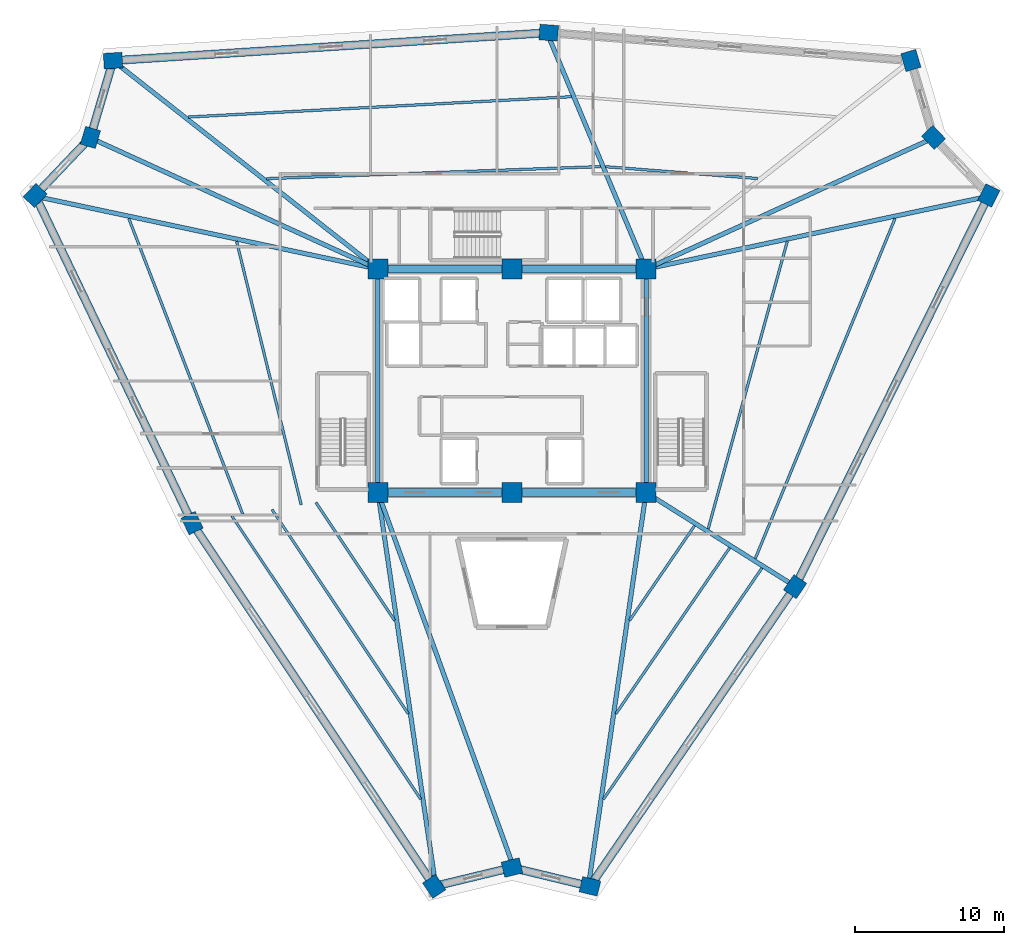
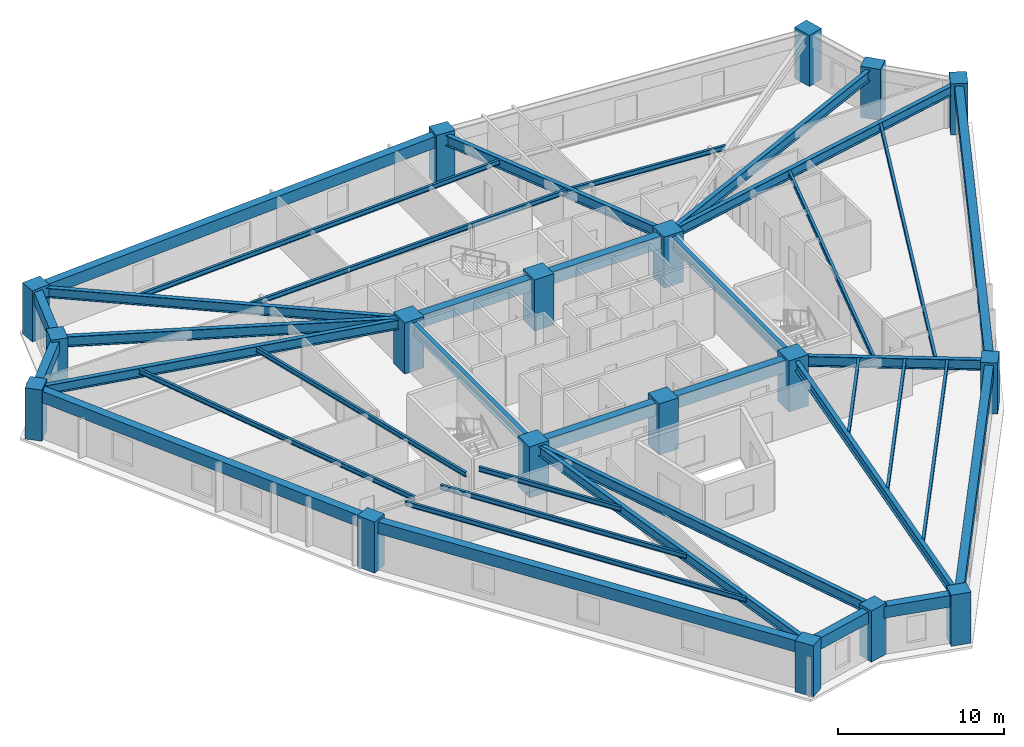
# One storey, part 1 of 8: 38 beams, 18 columns.
"""IFC4 building model written with IfcOpenShell, lengths in metres."""

from ifc_helpers import new_model, si_unit, direction, frame, origin, origin_2d, place, context, subcontext, project, spatial, rectangle, i_section, extrude, source, transform, mapped, material, material_profile, profile_set, type_object, element, save


model = new_model("IFC4")

# Units and contexts
model_context = context("Model", 3, precision=1e-05, world=origin(), true_north=direction((0.0, 1.0)))
body_context = subcontext(model_context, "Body", "Model", "MODEL_VIEW")
ifc_project = project(units=[si_unit("LENGTHUNIT", "METRE"), si_unit("AREAUNIT", "SQUARE_METRE"), si_unit("VOLUMEUNIT", "CUBIC_METRE"), si_unit("PLANEANGLEUNIT", "RADIAN"), si_unit("MASSUNIT", "GRAM", prefix="KILO")], contexts=[model_context])

# Site, building, storey
site_placement = place(None, origin())
site = spatial("IfcSite", under=ifc_project, at=site_placement, CompositionType="ELEMENT")
building_placement = place(site_placement, origin())
building = spatial("IfcBuilding", under=site, at=building_placement, Name="Liaohun Quay Tower", CompositionType="ELEMENT")
storey_placement = place(building_placement, frame((0.0, 0.0, 255.0)))
storey = spatial("IfcBuildingStorey", under=building, at=storey_placement, Name="L66", CompositionType="ELEMENT", Elevation=255.0)

# Columns
ifc_material_1 = material(Name="Concrete C55", Category="concrete")
ifc_material_profile_1 = material_profile(ifc_material_1, rectangle(XDim=1.35009765625, YDim=1.35009765625, at=origin_2d()), Name="RC1350x1350")
ifc_profile_set_1 = profile_set([ifc_material_profile_1], Name="Concrete C55")
column_type_1 = type_object("IfcColumnType", Name="COL-CC-Z3", PredefinedType="COLUMN", material=ifc_profile_set_1)
shared_shape_1 = source(origin(), body_context, "Body", "SweptSolid", [
    extrude(rectangle(XDim=1.35009765625, YDim=1.35009765625, at=origin_2d()), origin(), (0.0, 0.0, 1.0), 3.75),
])
for number, where, z_axis, x_axis, name in (
    (1, (51.0, 46.5, 0.0), (0.0, 0.0, 1.0), (1.0, 0.0, 0.0), "L66 Core Column CC1"),
    (2, (60.0, 46.5, 0.0), (0.0, 0.0, 1.0), (1.0, 0.0, 0.0), "L66 Core Column CC2"),
    (3, (69.0, 46.5, 0.0), (0.0, 0.0, 1.0), (1.0, 0.0, 0.0), "L66 Core Column CC3"),
    (4, (69.0, 61.5, 0.0), (0.0, 0.0, 1.0), (1.0, 0.0, 0.0), "L66 Core Column CC4"),
    (5, (60.0, 61.5, 0.0), (0.0, 0.0, 1.0), (1.0, 0.0, 0.0), "L66 Core Column CC5"),
    (6, (51.0, 61.5, 0.0), (0.0, 0.0, 1.0), (1.0, 0.0, 0.0), "L66 Core Column CC6"),
):
    element("IfcColumn", number, at=place(storey_placement, frame(where, z_axis=z_axis, x_axis=x_axis)), inside=storey, type_object=column_type_1, Name=name, PredefinedType="COLUMN", context=body_context, shape_type="MappedRepresentation", body=[
        mapped(shared_shape_1, transform((0.0, 0.0, 0.0), x_axis=(1.0, 0.0, 0.0), y_axis=(0.0, 1.0, 0.0), z_axis=(0.0, 0.0, 1.0), scale=1.0)),
    ])
ifc_material_profile_2 = material_profile(ifc_material_1, rectangle(XDim=1.25, YDim=1.050048828125, at=origin_2d()), Name="RC1250x1050")
ifc_profile_set_2 = profile_set([ifc_material_profile_2], Name="Concrete C55")
column_type_2 = type_object("IfcColumnType", Name="COL-PIER-Z3", PredefinedType="COLUMN", material=ifc_profile_set_2)
shared_shape_2 = source(origin(), body_context, "Body", "SweptSolid", [
    extrude(rectangle(XDim=1.25, YDim=1.050048828125, at=origin_2d()), origin(), (0.0, 0.0, 1.0), 3.75),
])
for number, where, z_axis, x_axis, name in (
    (7, (54.77587890625, 20.06005859375, 0.0), (0.0, 0.0, 1.0), (-0.554408741251, 0.832244523938, 0.0), "L66 Perimeter Pier PC01"),
    (8, (38.530029296875, 44.447998046875, 0.0), (0.0, 0.0, 1.0), (-0.432243141689, 0.90175709948, 0.0), "L66 Perimeter Pier PC02"),
    (9, (27.989990234375, 66.44091796875, 0.0), (0.0, 0.0, 1.0), (0.68936671806, 0.724412539946, 0.0), "L66 Perimeter Pier PC03"),
    (10, (31.698974609375, 70.339111328125, 0.0), (0.0, 0.0, 1.0), (0.28284371374, 0.959166009405, 0.0), "L66 Perimeter Pier PC04"),
    (11, (33.218994140625, 75.493896484375, 0.0), (0.0, 0.0, 1.0), (0.997949270516, 0.064009792035, 0.0), "L66 Perimeter Pier PC05"),
    (12, (62.464111328125, 77.3701171875, 0.0), (0.0, 0.0, 1.0), (-0.997066127037, 0.076545008426, 0.0), "L66 Perimeter Pier PC06"),
    (13, (86.778076171875, 75.5009765625, 0.0), (0.0, 0.0, 1.0), (-0.28284371374, 0.959166009405, 0.0), "L66 Perimeter Pier PC07"),
    (14, (88.301025390625, 70.339111328125, 0.0), (0.0, 0.0, 1.0), (-0.68936671806, 0.724412539946, 0.0), "L66 Perimeter Pier PC08"),
    (15, (92.0048828125, 66.446044921875, 0.0), (0.0, 0.0, 1.0), (0.443540529265, 0.896254315973, 0.0), "L66 Perimeter Pier PC09"),
    (16, (79.008056640625, 40.181884765625, 0.0), (0.0, 0.0, 1.0), (0.564822985348, 0.825212091054, 0.0), "L66 Perimeter Pier PC10"),
    (17, (65.23193359375, 20.05810546875, 0.0), (0.0, 0.0, 1.0), (-0.972043021443, 0.234802820391, 0.0), "L66 Perimeter Pier PC11"),
    (18, (60.0, 21.321044921875, 0.0), (0.0, 0.0, 1.0), (0.972043021443, 0.234802820391, 0.0), "L66 Perimeter Pier PC12"),
):
    element("IfcColumn", number, at=place(storey_placement, frame(where, z_axis=z_axis, x_axis=x_axis)), inside=storey, type_object=column_type_2, Name=name, PredefinedType="COLUMN", context=body_context, shape_type="MappedRepresentation", body=[
        mapped(shared_shape_2, transform((0.0, 0.0, 0.0), x_axis=(1.0, 0.0, 0.0), y_axis=(0.0, 1.0, 0.0), z_axis=(0.0, 0.0, 1.0), scale=1.0)),
    ])

# Beams
ifc_material_2 = material(Name="Steel Q355D", Category="steel")
ifc_material_profile_3 = material_profile(ifc_material_2, i_section(OverallWidth=0.300048828125, OverallDepth=0.800048828125, WebThickness=0.013916015625, FlangeThickness=0.02587890625, at=origin_2d()), Name="HN800x300x14x26")
ifc_profile_set_3 = profile_set([ifc_material_profile_3], Name="Steel Q355D")
beam_type_1 = type_object("IfcBeamType", Name="BM-RAD-M1", PredefinedType="BEAM", material=ifc_profile_set_3)
shared_shape_3 = source(origin(), body_context, "Body", "SweptSolid", [
    extrude(i_section(OverallWidth=0.300048828125, OverallDepth=0.800048828125, WebThickness=0.013916015625, FlangeThickness=0.02587890625, at=origin_2d()), origin(), (0.0, 0.0, 1.0), 15.0),
])
for number, where, z_axis, x_axis, name in (
    (19, (69.0, 46.5, 3.169921875), (0.0, 1.0, 0.0), (-1.0, 0.0, 0.0), "L66 Core Coupling/Ring Beam CC3-CC4"),
    (20, (51.0, 61.5, 3.169921875), (0.0, -1.0, 0.0), (1.0, 0.0, 0.0), "L66 Core Coupling/Ring Beam CC6-CC1"),
):
    element("IfcBeam", number, at=place(storey_placement, frame(where, z_axis=z_axis, x_axis=x_axis)), inside=storey, type_object=beam_type_1, Name=name, PredefinedType="BEAM", context=body_context, shape_type="MappedRepresentation", body=[
        mapped(shared_shape_3, transform((0.0, 0.0, 0.0), x_axis=(1.0, 0.0, 0.0), y_axis=(0.0, 1.0, 0.0), z_axis=(0.0, 0.0, 1.0), scale=1.0)),
    ])
ifc_material_profile_4 = material_profile(ifc_material_1, rectangle(XDim=0.550048828125, YDim=0.89990234375, at=origin_2d()), Name="RC550x900")
ifc_profile_set_4 = profile_set([ifc_material_profile_4], Name="Concrete C55")
beam_type_2 = type_object("IfcBeamType", Name="BM-CPL-2", PredefinedType="LINTEL", material=ifc_profile_set_4)
shared_shape_4 = source(origin(), body_context, "Body", "SweptSolid", [
    extrude(rectangle(XDim=0.550048828125, YDim=0.89990234375, at=origin_2d()), origin(), (0.0, 0.0, 1.0), 9.0),
])
for number, where, z_axis, x_axis, name in (
    (21, (51.0, 46.5, 3.1201171875), (1.0, 0.0, 0.0), (0.0, 1.0, 0.0), "L66 Core Coupling/Ring Beam CC1-CC2"),
    (22, (60.0, 46.5, 3.1201171875), (1.0, 0.0, 0.0), (0.0, 1.0, 0.0), "L66 Core Coupling/Ring Beam CC2-CC3"),
    (23, (69.0, 61.5, 3.1201171875), (-1.0, 0.0, 0.0), (0.0, -1.0, 0.0), "L66 Core Coupling/Ring Beam CC4-CC5"),
    (24, (60.0, 61.5, 3.1201171875), (-1.0, 0.0, 0.0), (0.0, -1.0, 0.0), "L66 Core Coupling/Ring Beam CC5-CC6"),
):
    element("IfcBeam", number, at=place(storey_placement, frame(where, z_axis=z_axis, x_axis=x_axis)), inside=storey, type_object=beam_type_2, Name=name, PredefinedType="LINTEL", context=body_context, shape_type="MappedRepresentation", body=[
        mapped(shared_shape_4, transform((0.0, 0.0, 0.0), x_axis=(1.0, 0.0, 0.0), y_axis=(0.0, 1.0, 0.0), z_axis=(0.0, 0.0, 1.0), scale=1.0)),
    ])
ifc_material_3 = material(Name="Precast concrete C50", Category="concrete")
ifc_material_profile_5 = material_profile(ifc_material_3, rectangle(XDim=0.550048828125, YDim=0.85009765625, at=origin_2d()), Name="RC550x850")
ifc_profile_set_5 = profile_set([ifc_material_profile_5], Name="Precast concrete C50")
beam_type_3 = type_object("IfcBeamType", Name="BM-SPD-Z3", PredefinedType="SPANDREL", material=ifc_profile_set_5)
shared_shape_5 = source(origin(), body_context, "Body", "SweptSolid", [
    extrude(rectangle(XDim=0.550048828125, YDim=0.85009765625, at=origin_2d()), origin(), (0.0, 0.0, 1.0), 29.303466796875),
])
beam_1_placement = place(storey_placement, frame((54.77587890625, 20.06005859375, 3.14501953125), z_axis=(-0.554398305627, 0.832251475648, 0.0), x_axis=(-0.832251475648, -0.554398305627, 0.0)))
element("IfcBeam", 25, at=beam_1_placement, inside=storey, type_object=beam_type_3, Name="L66 Precast Spandrel Beam PC01-PC02", PredefinedType="SPANDREL", context=body_context, shape_type="MappedRepresentation", body=[
    mapped(shared_shape_5, transform((0.0, 0.0, 0.0), x_axis=(1.0, 0.0, 0.0), y_axis=(0.0, 1.0, 0.0), z_axis=(0.0, 0.0, 1.0), scale=1.0)),
])
shared_shape_6 = source(origin(), body_context, "Body", "SweptSolid", [
    extrude(rectangle(XDim=0.550048828125, YDim=0.85009765625, at=origin_2d()), origin(), (0.0, 0.0, 1.0), 24.38818359375),
])
beam_2_placement = place(storey_placement, frame((38.530029296875, 44.447998046875, 3.14501953125), z_axis=(-0.432179034822, 0.901787825301, 0.0), x_axis=(-0.901787825301, -0.432179034822, 0.0)))
element("IfcBeam", 26, at=beam_2_placement, inside=storey, type_object=beam_type_3, Name="L66 Precast Spandrel Beam PC02-PC03", PredefinedType="SPANDREL", context=body_context, shape_type="MappedRepresentation", body=[
    mapped(shared_shape_6, transform((0.0, 0.0, 0.0), x_axis=(1.0, 0.0, 0.0), y_axis=(0.0, 1.0, 0.0), z_axis=(0.0, 0.0, 1.0), scale=1.0)),
])
shared_shape_7 = source(origin(), body_context, "Body", "SweptSolid", [
    extrude(rectangle(XDim=0.550048828125, YDim=0.85009765625, at=origin_2d()), origin(), (0.0, 0.0, 1.0), 5.380859375),
])
beam_3_placement = place(storey_placement, frame((27.989990234375, 66.44091796875, 3.14501953125), z_axis=(0.689306135906, 0.724470186414, 0.0), x_axis=(-0.724470186414, 0.689306135906, 0.0)))
element("IfcBeam", 27, at=beam_3_placement, inside=storey, type_object=beam_type_3, Name="L66 Precast Spandrel Beam PC03-PC04", PredefinedType="SPANDREL", context=body_context, shape_type="MappedRepresentation", body=[
    mapped(shared_shape_7, transform((0.0, 0.0, 0.0), x_axis=(1.0, 0.0, 0.0), y_axis=(0.0, 1.0, 0.0), z_axis=(0.0, 0.0, 1.0), scale=1.0)),
])
shared_shape_8 = source(origin(), body_context, "Body", "SweptSolid", [
    extrude(rectangle(XDim=0.550048828125, YDim=0.85009765625, at=origin_2d()), origin(), (0.0, 0.0, 1.0), 5.374267578125),
])
for number, where, z_axis, x_axis, name in (
    (28, (31.698974609375, 70.339111328125, 3.14501953125), (0.282835234525, 0.959168509758, 0.0), (-0.959168509758, 0.282835234525, 0.0), "L66 Precast Spandrel Beam PC04-PC05"),
    (29, (60.0, 21.321044921875, 3.14501953125), (-0.972082565876, -0.234639052844, 0.0), (0.234639052844, -0.972082565876, 0.0), "L66 Precast Spandrel Beam PC12-PC01"),
):
    element("IfcBeam", number, at=place(storey_placement, frame(where, z_axis=z_axis, x_axis=x_axis)), inside=storey, type_object=beam_type_3, Name=name, PredefinedType="SPANDREL", context=body_context, shape_type="MappedRepresentation", body=[
        mapped(shared_shape_8, transform((0.0, 0.0, 0.0), x_axis=(1.0, 0.0, 0.0), y_axis=(0.0, 1.0, 0.0), z_axis=(0.0, 0.0, 1.0), scale=1.0)),
    ])
shared_shape_9 = source(origin(), body_context, "Body", "SweptSolid", [
    extrude(rectangle(XDim=0.550048828125, YDim=0.85009765625, at=origin_2d()), origin(), (0.0, 0.0, 1.0), 29.30517578125),
])
beam_4_placement = place(storey_placement, frame((33.218994140625, 75.493896484375, 3.14501953125), z_axis=(0.997948398445, 0.064023386667, 0.0), x_axis=(-0.064023386667, 0.997948398445, 0.0)))
element("IfcBeam", 30, at=beam_4_placement, inside=storey, type_object=beam_type_3, Name="L66 Precast Spandrel Beam PC05-PC06", PredefinedType="SPANDREL", context=body_context, shape_type="MappedRepresentation", body=[
    mapped(shared_shape_9, transform((0.0, 0.0, 0.0), x_axis=(1.0, 0.0, 0.0), y_axis=(0.0, 1.0, 0.0), z_axis=(0.0, 0.0, 1.0), scale=1.0)),
])
shared_shape_10 = source(origin(), body_context, "Body", "SweptSolid", [
    extrude(rectangle(XDim=0.550048828125, YDim=0.85009765625, at=origin_2d()), origin(), (0.0, 0.0, 1.0), 29.303955078125),
])
beam_5_placement = place(storey_placement, frame((92.0048828125, 66.446044921875, 3.14501953125), z_axis=(-0.44351734755, -0.896265787823, 0.0), x_axis=(0.896265787823, -0.44351734755, 0.0)))
element("IfcBeam", 31, at=beam_5_placement, inside=storey, type_object=beam_type_3, Name="L66 Precast Spandrel Beam PC09-PC10", PredefinedType="SPANDREL", context=body_context, shape_type="MappedRepresentation", body=[
    mapped(shared_shape_10, transform((0.0, 0.0, 0.0), x_axis=(1.0, 0.0, 0.0), y_axis=(0.0, 1.0, 0.0), z_axis=(0.0, 0.0, 1.0), scale=1.0)),
])
shared_shape_11 = source(origin(), body_context, "Body", "SweptSolid", [
    extrude(rectangle(XDim=0.550048828125, YDim=0.85009765625, at=origin_2d()), origin(), (0.0, 0.0, 1.0), 24.387451171875),
])
beam_6_placement = place(storey_placement, frame((79.008056640625, 40.181884765625, 3.14501953125), z_axis=(-0.564885590223, -0.825169237162, 0.0), x_axis=(0.825169237162, -0.564885590223, 0.0)))
element("IfcBeam", 32, at=beam_6_placement, inside=storey, type_object=beam_type_3, Name="L66 Precast Spandrel Beam PC10-PC11", PredefinedType="SPANDREL", context=body_context, shape_type="MappedRepresentation", body=[
    mapped(shared_shape_11, transform((0.0, 0.0, 0.0), x_axis=(1.0, 0.0, 0.0), y_axis=(0.0, 1.0, 0.0), z_axis=(0.0, 0.0, 1.0), scale=1.0)),
])
shared_shape_12 = source(origin(), body_context, "Body", "SweptSolid", [
    extrude(rectangle(XDim=0.550048828125, YDim=0.85009765625, at=origin_2d()), origin(), (0.0, 0.0, 1.0), 5.38232421875),
])
beam_7_placement = place(storey_placement, frame((65.23193359375, 20.05810546875, 3.14501953125), z_axis=(-0.972079711132, 0.234650879407, 0.0), x_axis=(-0.234650879407, -0.972079711132, 0.0)))
element("IfcBeam", 33, at=beam_7_placement, inside=storey, type_object=beam_type_3, Name="L66 Precast Spandrel Beam PC11-PC12", PredefinedType="SPANDREL", context=body_context, shape_type="MappedRepresentation", body=[
    mapped(shared_shape_12, transform((0.0, 0.0, 0.0), x_axis=(1.0, 0.0, 0.0), y_axis=(0.0, 1.0, 0.0), z_axis=(0.0, 0.0, 1.0), scale=1.0)),
])
ifc_material_profile_6 = material_profile(ifc_material_2, i_section(OverallWidth=0.300048828125, OverallDepth=0.699951171875, WebThickness=0.012939453125, FlangeThickness=0.02392578125, at=origin_2d()), Name="HN700x300x13x24")
ifc_profile_set_6 = profile_set([ifc_material_profile_6], Name="Steel Q355D")
beam_type_4 = type_object("IfcBeamType", Name="BM-RAD-U1", PredefinedType="BEAM", material=ifc_profile_set_6)
shared_shape_13 = source(origin(), body_context, "Body", "SweptSolid", [
    extrude(i_section(OverallWidth=0.300048828125, OverallDepth=0.699951171875, WebThickness=0.012939453125, FlangeThickness=0.02392578125, at=origin_2d()), origin(), (0.0, 0.0, 1.0), 26.37890625),
])
beam_8_placement = place(storey_placement, frame((51.0, 46.5, 3.219970703125), z_axis=(0.145232332526, -0.98939757913, 0.0), x_axis=(0.98939757913, 0.145232332526, 0.0)))
element("IfcBeam", 34, at=beam_8_placement, inside=storey, type_object=beam_type_4, Name="L66 Radial Primary Girder CC1-PC01", PredefinedType="BEAM", context=body_context, shape_type="MappedRepresentation", body=[
    mapped(shared_shape_13, transform((0.0, 0.0, 0.0), x_axis=(1.0, 0.0, 0.0), y_axis=(0.0, 1.0, 0.0), z_axis=(0.0, 0.0, 1.0), scale=1.0)),
])
shared_shape_14 = source(origin(), body_context, "Body", "SweptSolid", [
    extrude(i_section(OverallWidth=0.300048828125, OverallDepth=0.699951171875, WebThickness=0.012939453125, FlangeThickness=0.02392578125, at=origin_2d()), origin(), (0.0, 0.0, 1.0), 23.193603515625),
])
beam_9_placement = place(storey_placement, frame((51.0, 61.5, 3.219970703125), z_axis=(-0.978196555276, 0.20768124433, 0.0), x_axis=(-0.20768124433, -0.978196555276, 0.0)))
element("IfcBeam", 35, at=beam_9_placement, inside=storey, type_object=beam_type_4, Name="L66 Radial Primary Girder CC6-PC03", PredefinedType="BEAM", context=body_context, shape_type="MappedRepresentation", body=[
    mapped(shared_shape_14, transform((0.0, 0.0, 0.0), x_axis=(1.0, 0.0, 0.0), y_axis=(0.0, 1.0, 0.0), z_axis=(0.0, 0.0, 1.0), scale=1.0)),
])
ifc_material_profile_7 = material_profile(ifc_material_2, i_section(OverallWidth=0.300048828125, OverallDepth=0.75, WebThickness=0.013916015625, FlangeThickness=0.02587890625, at=origin_2d()), Name="HN750x300x14x26")
ifc_profile_set_7 = profile_set([ifc_material_profile_7], Name="Steel Q355D")
beam_type_5 = type_object("IfcBeamType", Name="BM-RAD-M2", PredefinedType="BEAM", material=ifc_profile_set_7)
shared_shape_15 = source(origin(), body_context, "Body", "SweptSolid", [
    extrude(i_section(OverallWidth=0.300048828125, OverallDepth=0.75, WebThickness=0.013916015625, FlangeThickness=0.02587890625, at=origin_2d()), origin(), (0.0, 0.0, 1.0), 20.902587890625),
])
for number, where, z_axis, x_axis, name in (
    (36, (51.0, 61.5, 3.195068359375), (-0.909790806226, 0.415067089646, 0.0), (-0.415067089646, -0.909790806226, 0.0), "L66 Radial Primary Girder CC6-PC04"),
    (37, (69.0, 61.5, 3.195068359375), (0.909790806226, 0.415067089646, 0.0), (-0.415067089646, 0.909790806226, 0.0), "L66 Radial Primary Girder CC4-PC08"),
):
    element("IfcBeam", number, at=place(storey_placement, frame(where, z_axis=z_axis, x_axis=x_axis)), inside=storey, type_object=beam_type_5, Name=name, PredefinedType="BEAM", context=body_context, shape_type="MappedRepresentation", body=[
        mapped(shared_shape_15, transform((0.0, 0.0, 0.0), x_axis=(1.0, 0.0, 0.0), y_axis=(0.0, 1.0, 0.0), z_axis=(0.0, 0.0, 1.0), scale=1.0)),
    ])
shared_shape_16 = source(origin(), body_context, "Body", "SweptSolid", [
    extrude(i_section(OverallWidth=0.300048828125, OverallDepth=0.699951171875, WebThickness=0.012939453125, FlangeThickness=0.02392578125, at=origin_2d()), origin(), (0.0, 0.0, 1.0), 22.282470703125),
])
beam_10_placement = place(storey_placement, frame((51.0, 61.5, 3.219970703125), z_axis=(-0.785992400738, 0.61823615713, 0.0), x_axis=(-0.61823615713, -0.785992400738, 0.0)))
element("IfcBeam", 38, at=beam_10_placement, inside=storey, type_object=beam_type_4, Name="L66 Radial Primary Girder CC6-PC05", PredefinedType="BEAM", context=body_context, shape_type="MappedRepresentation", body=[
    mapped(shared_shape_16, transform((0.0, 0.0, 0.0), x_axis=(1.0, 0.0, 0.0), y_axis=(0.0, 1.0, 0.0), z_axis=(0.0, 0.0, 1.0), scale=1.0)),
])
shared_shape_17 = source(origin(), body_context, "Body", "SweptSolid", [
    extrude(i_section(OverallWidth=0.300048828125, OverallDepth=0.75, WebThickness=0.013916015625, FlangeThickness=0.02587890625, at=origin_2d()), origin(), (0.0, 0.0, 1.0), 16.9677734375),
])
beam_11_placement = place(storey_placement, frame((69.0, 61.5, 3.195068359375), z_axis=(-0.386676150441, 0.922215568444, 0.0), x_axis=(-0.922215568444, -0.386676150441, 0.0)))
element("IfcBeam", 39, at=beam_11_placement, inside=storey, type_object=beam_type_5, Name="L66 Radial Primary Girder CC4-PC06", PredefinedType="BEAM", context=body_context, shape_type="MappedRepresentation", body=[
    mapped(shared_shape_17, transform((0.0, 0.0, 0.0), x_axis=(1.0, 0.0, 0.0), y_axis=(0.0, 1.0, 0.0), z_axis=(0.0, 0.0, 1.0), scale=1.0)),
])
shared_shape_18 = source(origin(), body_context, "Body", "SweptSolid", [
    extrude(i_section(OverallWidth=0.300048828125, OverallDepth=0.699951171875, WebThickness=0.012939453125, FlangeThickness=0.02392578125, at=origin_2d()), origin(), (0.0, 0.0, 1.0), 23.190185546875),
])
beam_12_placement = place(storey_placement, frame((69.0, 61.5, 3.219970703125), z_axis=(0.97813396069, 0.207975851829, 0.0), x_axis=(-0.207975851829, 0.97813396069, 0.0)))
element("IfcBeam", 40, at=beam_12_placement, inside=storey, type_object=beam_type_4, Name="L66 Radial Primary Girder CC4-PC09", PredefinedType="BEAM", context=body_context, shape_type="MappedRepresentation", body=[
    mapped(shared_shape_18, transform((0.0, 0.0, 0.0), x_axis=(1.0, 0.0, 0.0), y_axis=(0.0, 1.0, 0.0), z_axis=(0.0, 0.0, 1.0), scale=1.0)),
])
shared_shape_19 = source(origin(), body_context, "Body", "SweptSolid", [
    extrude(i_section(OverallWidth=0.300048828125, OverallDepth=0.75, WebThickness=0.013916015625, FlangeThickness=0.02587890625, at=origin_2d()), origin(), (0.0, 0.0, 1.0), 11.61279296875),
])
beam_13_placement = place(storey_placement, frame((69.0, 46.5, 3.195068359375), z_axis=(0.84630620825, -0.532696725988, 0.0), x_axis=(0.532696725988, 0.84630620825, 0.0)))
element("IfcBeam", 41, at=beam_13_placement, inside=storey, type_object=beam_type_5, Name="L66 Radial Primary Girder CC3-PC10", PredefinedType="BEAM", context=body_context, shape_type="MappedRepresentation", body=[
    mapped(shared_shape_19, transform((0.0, 0.0, 0.0), x_axis=(1.0, 0.0, 0.0), y_axis=(0.0, 1.0, 0.0), z_axis=(0.0, 0.0, 1.0), scale=1.0)),
])
shared_shape_20 = source(origin(), body_context, "Body", "SweptSolid", [
    extrude(i_section(OverallWidth=0.300048828125, OverallDepth=0.699951171875, WebThickness=0.012939453125, FlangeThickness=0.02392578125, at=origin_2d()), origin(), (0.0, 0.0, 1.0), 26.379638671875),
])
beam_14_placement = place(storey_placement, frame((69.0, 46.5, 3.219970703125), z_axis=(-0.144922716205, -0.989442977805, 0.0), x_axis=(0.989442977805, -0.144922716205, 0.0)))
element("IfcBeam", 42, at=beam_14_placement, inside=storey, type_object=beam_type_4, Name="L66 Radial Primary Girder CC3-PC11", PredefinedType="BEAM", context=body_context, shape_type="MappedRepresentation", body=[
    mapped(shared_shape_20, transform((0.0, 0.0, 0.0), x_axis=(1.0, 0.0, 0.0), y_axis=(0.0, 1.0, 0.0), z_axis=(0.0, 0.0, 1.0), scale=1.0)),
])
shared_shape_21 = source(origin(), body_context, "Body", "SweptSolid", [
    extrude(i_section(OverallWidth=0.300048828125, OverallDepth=0.75, WebThickness=0.013916015625, FlangeThickness=0.02587890625, at=origin_2d()), origin(), (0.0, 0.0, 1.0), 26.4306640625),
])
beam_15_placement = place(storey_placement, frame((51.0, 46.5, 3.195068359375), z_axis=(0.34051458083, -0.940239235643, 0.0), x_axis=(0.940239235643, 0.34051458083, 0.0)))
element("IfcBeam", 43, at=beam_15_placement, inside=storey, type_object=beam_type_5, Name="L66 Radial Primary Girder CC1-PC12", PredefinedType="BEAM", context=body_context, shape_type="MappedRepresentation", body=[
    mapped(shared_shape_21, transform((0.0, 0.0, 0.0), x_axis=(1.0, 0.0, 0.0), y_axis=(0.0, 1.0, 0.0), z_axis=(0.0, 0.0, 1.0), scale=1.0)),
])
ifc_material_profile_8 = material_profile(ifc_material_2, i_section(OverallWidth=0.175048828125, OverallDepth=0.35009765625, WebThickness=0.007080078125, FlangeThickness=0.010986328125, at=origin_2d()), Name="HN350x175x7x11")
ifc_profile_set_8 = profile_set([ifc_material_profile_8], Name="Steel Q355D")
beam_type_6 = type_object("IfcBeamType", Name="BM-SEC-J3", PredefinedType="JOIST", material=ifc_profile_set_8)
shared_shape_22 = source(origin(), body_context, "Body", "SweptSolid", [
    extrude(i_section(OverallWidth=0.175048828125, OverallDepth=0.35009765625, WebThickness=0.007080078125, FlangeThickness=0.010986328125, at=origin_2d()), origin(), (0.0, 0.0, 1.0), 9.513427734375),
])
beam_16_placement = place(storey_placement, frame((52.10791015625, 37.91796875, 3.39501953125), z_axis=(-0.554783104757, 0.831995016016, 0.0), x_axis=(-0.831995016016, -0.554783104757, 0.0)))
element("IfcBeam", 44, at=beam_16_placement, inside=storey, type_object=beam_type_6, Name="L66 Wing Secondary Floor Joist SJ-01", PredefinedType="JOIST", context=body_context, shape_type="MappedRepresentation", body=[
    mapped(shared_shape_22, transform((0.0, 0.0, 0.0), x_axis=(1.0, 0.0, 0.0), y_axis=(0.0, 1.0, 0.0), z_axis=(0.0, 0.0, 1.0), scale=1.0)),
])
shared_shape_23 = source(origin(), body_context, "Body", "SweptSolid", [
    extrude(i_section(OverallWidth=0.175048828125, OverallDepth=0.35009765625, WebThickness=0.007080078125, FlangeThickness=0.010986328125, at=origin_2d()), origin(), (0.0, 0.0, 1.0), 16.476806640625),
])
beam_17_placement = place(storey_placement, frame((53.028076171875, 31.654052734375, 3.39501953125), z_axis=(-0.554843800547, 0.831954540221, 0.0), x_axis=(-0.831954540221, -0.554843800547, 0.0)))
element("IfcBeam", 45, at=beam_17_placement, inside=storey, type_object=beam_type_6, Name="L66 Wing Secondary Floor Joist SJ-02", PredefinedType="JOIST", context=body_context, shape_type="MappedRepresentation", body=[
    mapped(shared_shape_23, transform((0.0, 0.0, 0.0), x_axis=(1.0, 0.0, 0.0), y_axis=(0.0, 1.0, 0.0), z_axis=(0.0, 0.0, 1.0), scale=1.0)),
])
shared_shape_24 = source(origin(), body_context, "Body", "SweptSolid", [
    extrude(i_section(OverallWidth=0.175048828125, OverallDepth=0.35009765625, WebThickness=0.007080078125, FlangeThickness=0.010986328125, at=origin_2d()), origin(), (0.0, 0.0, 1.0), 22.859130859375),
])
beam_18_placement = place(storey_placement, frame((53.8701171875, 25.912109375, 3.39501953125), z_axis=(-0.554838210092, 0.831958268558, 0.0), x_axis=(-0.831958268558, -0.554838210092, 0.0)))
element("IfcBeam", 46, at=beam_18_placement, inside=storey, type_object=beam_type_6, Name="L66 Wing Secondary Floor Joist SJ-03", PredefinedType="JOIST", context=body_context, shape_type="MappedRepresentation", body=[
    mapped(shared_shape_24, transform((0.0, 0.0, 0.0), x_axis=(1.0, 0.0, 0.0), y_axis=(0.0, 1.0, 0.0), z_axis=(0.0, 0.0, 1.0), scale=1.0)),
])
shared_shape_25 = source(origin(), body_context, "Body", "SweptSolid", [
    extrude(i_section(OverallWidth=0.175048828125, OverallDepth=0.35009765625, WebThickness=0.007080078125, FlangeThickness=0.010986328125, at=origin_2d()), origin(), (0.0, 0.0, 1.0), 18.208984375),
])
beam_19_placement = place(storey_placement, frame((45.847900390625, 45.676025390625, 3.39501953125), z_axis=(-0.238173326631, 0.971222665758, 0.0), x_axis=(-0.971222665758, -0.238173326631, 0.0)))
element("IfcBeam", 47, at=beam_19_placement, inside=storey, type_object=beam_type_6, Name="L66 Wing Secondary Floor Joist SJ-04", PredefinedType="JOIST", context=body_context, shape_type="MappedRepresentation", body=[
    mapped(shared_shape_25, transform((0.0, 0.0, 0.0), x_axis=(1.0, 0.0, 0.0), y_axis=(0.0, 1.0, 0.0), z_axis=(0.0, 0.0, 1.0), scale=1.0)),
])
shared_shape_26 = source(origin(), body_context, "Body", "SweptSolid", [
    extrude(i_section(OverallWidth=0.175048828125, OverallDepth=0.35009765625, WebThickness=0.007080078125, FlangeThickness=0.010986328125, at=origin_2d()), origin(), (0.0, 0.0, 1.0), 21.272216796875),
])
beam_20_placement = place(storey_placement, frame((41.923095703125, 45.048095703125, 3.39501953125), z_axis=(-0.359537361144, 0.933130690708, 0.0), x_axis=(-0.933130690708, -0.359537361144, 0.0)))
element("IfcBeam", 48, at=beam_20_placement, inside=storey, type_object=beam_type_6, Name="L66 Wing Secondary Floor Joist SJ-05", PredefinedType="JOIST", context=body_context, shape_type="MappedRepresentation", body=[
    mapped(shared_shape_26, transform((0.0, 0.0, 0.0), x_axis=(1.0, 0.0, 0.0), y_axis=(0.0, 1.0, 0.0), z_axis=(0.0, 0.0, 1.0), scale=1.0)),
])
shared_shape_27 = source(origin(), body_context, "Body", "SweptSolid", [
    extrude(i_section(OverallWidth=0.175048828125, OverallDepth=0.35009765625, WebThickness=0.007080078125, FlangeThickness=0.010986328125, at=origin_2d()), origin(), (0.0, 0.0, 1.0), 22.441650390625),
])
beam_21_placement = place(storey_placement, frame((43.52587890625, 67.570068359375, 3.39501953125), z_axis=(0.999350278673, 0.036041927186, 0.0), x_axis=(-0.036041927186, 0.999350278673, 0.0)))
element("IfcBeam", 49, at=beam_21_placement, inside=storey, type_object=beam_type_6, Name="L66 Wing Secondary Floor Joist SJ-06", PredefinedType="JOIST", context=body_context, shape_type="MappedRepresentation", body=[
    mapped(shared_shape_27, transform((0.0, 0.0, 0.0), x_axis=(1.0, 0.0, 0.0), y_axis=(0.0, 1.0, 0.0), z_axis=(0.0, 0.0, 1.0), scale=1.0)),
])
shared_shape_28 = source(origin(), body_context, "Body", "SweptSolid", [
    extrude(i_section(OverallWidth=0.175048828125, OverallDepth=0.35009765625, WebThickness=0.007080078125, FlangeThickness=0.010986328125, at=origin_2d()), origin(), (0.0, 0.0, 1.0), 25.755126953125),
])
beam_22_placement = place(storey_placement, frame((38.26708984375, 71.7060546875, 3.39501953125), z_axis=(0.998594584186, 0.052998645595, 0.0), x_axis=(-0.052998645595, 0.998594584186, 0.0)))
element("IfcBeam", 50, at=beam_22_placement, inside=storey, type_object=beam_type_6, Name="L66 Wing Secondary Floor Joist SJ-07", PredefinedType="JOIST", context=body_context, shape_type="MappedRepresentation", body=[
    mapped(shared_shape_28, transform((0.0, 0.0, 0.0), x_axis=(1.0, 0.0, 0.0), y_axis=(0.0, 1.0, 0.0), z_axis=(0.0, 0.0, 1.0), scale=1.0)),
])
shared_shape_29 = source(origin(), body_context, "Body", "SweptSolid", [
    extrude(i_section(OverallWidth=0.175048828125, OverallDepth=0.35009765625, WebThickness=0.007080078125, FlangeThickness=0.010986328125, at=origin_2d()), origin(), (0.0, 0.0, 1.0), 10.2333984375),
])
beam_23_placement = place(storey_placement, frame((66.281005859375, 68.3720703125, 3.39501953125), z_axis=(0.997015484262, -0.077201840278, 0.0), x_axis=(0.077201840278, 0.997015484262, 0.0)))
element("IfcBeam", 51, at=beam_23_placement, inside=storey, type_object=beam_type_6, Name="L66 Wing Secondary Floor Joist SJ-08", PredefinedType="JOIST", context=body_context, shape_type="MappedRepresentation", body=[
    mapped(shared_shape_29, transform((0.0, 0.0, 0.0), x_axis=(1.0, 0.0, 0.0), y_axis=(0.0, 1.0, 0.0), z_axis=(0.0, 0.0, 1.0), scale=1.0)),
])
shared_shape_30 = source(origin(), body_context, "Body", "SweptSolid", [
    extrude(i_section(OverallWidth=0.175048828125, OverallDepth=0.35009765625, WebThickness=0.007080078125, FlangeThickness=0.010986328125, at=origin_2d()), origin(), (0.0, 0.0, 1.0), 20.027587890625),
])
beam_24_placement = place(storey_placement, frame((78.48193359375, 63.363037109375, 3.39501953125), z_axis=(-0.265282845028, -0.964170634345, 0.0), x_axis=(0.964170634345, -0.265282845028, 0.0)))
element("IfcBeam", 52, at=beam_24_placement, inside=storey, type_object=beam_type_6, Name="L66 Wing Secondary Floor Joist SJ-10", PredefinedType="JOIST", context=body_context, shape_type="MappedRepresentation", body=[
    mapped(shared_shape_30, transform((0.0, 0.0, 0.0), x_axis=(1.0, 0.0, 0.0), y_axis=(0.0, 1.0, 0.0), z_axis=(0.0, 0.0, 1.0), scale=1.0)),
])
shared_shape_31 = source(origin(), body_context, "Body", "SweptSolid", [
    extrude(i_section(OverallWidth=0.175048828125, OverallDepth=0.35009765625, WebThickness=0.007080078125, FlangeThickness=0.010986328125, at=origin_2d()), origin(), (0.0, 0.0, 1.0), 24.691162109375),
])
beam_25_placement = place(storey_placement, frame((85.716064453125, 64.90087890625, 3.39501953125), z_axis=(-0.380097728752, -0.924946331739, 0.0), x_axis=(0.924946331739, -0.380097728752, 0.0)))
element("IfcBeam", 53, at=beam_25_placement, inside=storey, type_object=beam_type_6, Name="L66 Wing Secondary Floor Joist SJ-11", PredefinedType="JOIST", context=body_context, shape_type="MappedRepresentation", body=[
    mapped(shared_shape_31, transform((0.0, 0.0, 0.0), x_axis=(1.0, 0.0, 0.0), y_axis=(0.0, 1.0, 0.0), z_axis=(0.0, 0.0, 1.0), scale=1.0)),
])
shared_shape_32 = source(origin(), body_context, "Body", "SweptSolid", [
    extrude(i_section(OverallWidth=0.175048828125, OverallDepth=0.35009765625, WebThickness=0.007080078125, FlangeThickness=0.010986328125, at=origin_2d()), origin(), (0.0, 0.0, 1.0), 7.71826171875),
])
beam_26_placement = place(storey_placement, frame((72.257080078125, 44.27294921875, 3.39501953125), z_axis=(-0.565420774072, -0.824802611688, 0.0), x_axis=(0.824802611688, -0.565420774072, 0.0)))
element("IfcBeam", 54, at=beam_26_placement, inside=storey, type_object=beam_type_6, Name="L66 Wing Secondary Floor Joist SJ-12", PredefinedType="JOIST", context=body_context, shape_type="MappedRepresentation", body=[
    mapped(shared_shape_32, transform((0.0, 0.0, 0.0), x_axis=(1.0, 0.0, 0.0), y_axis=(0.0, 1.0, 0.0), z_axis=(0.0, 0.0, 1.0), scale=1.0)),
])
shared_shape_33 = source(origin(), body_context, "Body", "SweptSolid", [
    extrude(i_section(OverallWidth=0.175048828125, OverallDepth=0.35009765625, WebThickness=0.007080078125, FlangeThickness=0.010986328125, at=origin_2d()), origin(), (0.0, 0.0, 1.0), 13.51220703125),
])
beam_27_placement = place(storey_placement, frame((74.614990234375, 42.7880859375, 3.39501953125), z_axis=(-0.565407209451, -0.824811910378, 0.0), x_axis=(0.824811910378, -0.565407209451, 0.0)))
element("IfcBeam", 55, at=beam_27_placement, inside=storey, type_object=beam_type_6, Name="L66 Wing Secondary Floor Joist SJ-13", PredefinedType="JOIST", context=body_context, shape_type="MappedRepresentation", body=[
    mapped(shared_shape_33, transform((0.0, 0.0, 0.0), x_axis=(1.0, 0.0, 0.0), y_axis=(0.0, 1.0, 0.0), z_axis=(0.0, 0.0, 1.0), scale=1.0)),
])
shared_shape_34 = source(origin(), body_context, "Body", "SweptSolid", [
    extrude(i_section(OverallWidth=0.175048828125, OverallDepth=0.35009765625, WebThickness=0.007080078125, FlangeThickness=0.010986328125, at=origin_2d()), origin(), (0.0, 0.0, 1.0), 18.8251953125),
])
beam_28_placement = place(storey_placement, frame((76.778076171875, 41.427001953125, 3.39501953125), z_axis=(-0.565415943993, -0.824805922795, 0.0), x_axis=(0.824805922795, -0.565415943993, 0.0)))
element("IfcBeam", 56, at=beam_28_placement, inside=storey, type_object=beam_type_6, Name="L66 Wing Secondary Floor Joist SJ-14", PredefinedType="JOIST", context=body_context, shape_type="MappedRepresentation", body=[
    mapped(shared_shape_34, transform((0.0, 0.0, 0.0), x_axis=(1.0, 0.0, 0.0), y_axis=(0.0, 1.0, 0.0), z_axis=(0.0, 0.0, 1.0), scale=1.0)),
])

save(model, "model.ifc")
